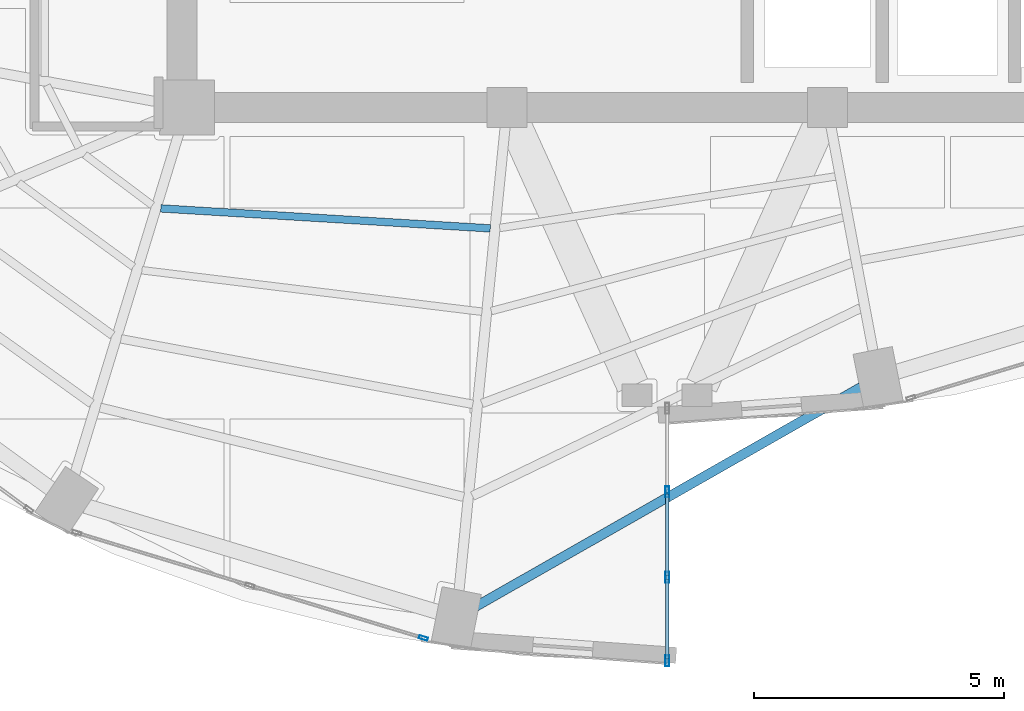
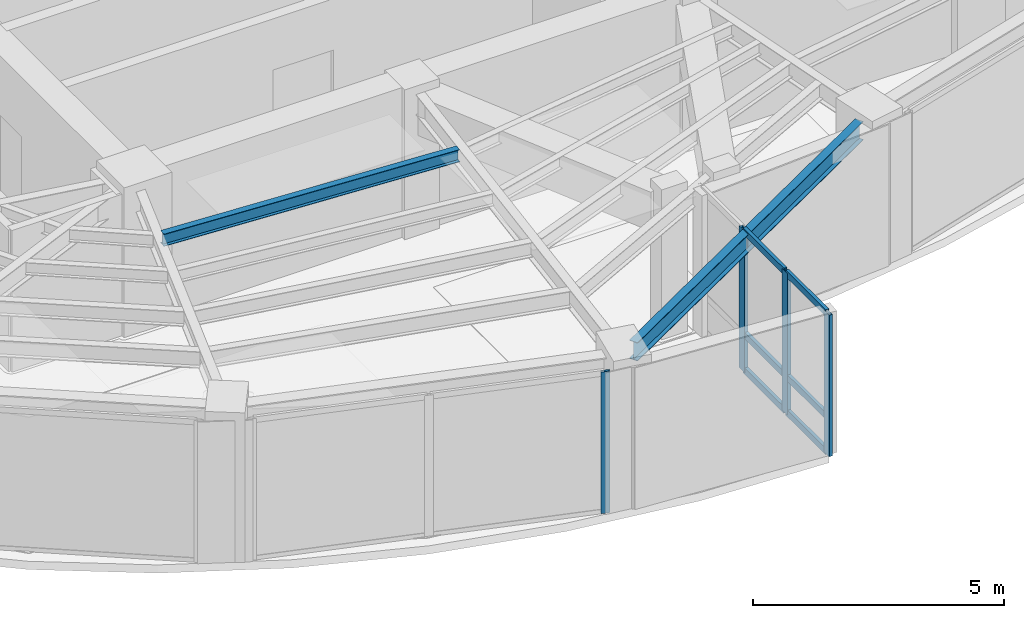
# One storey, part 5 of 23: 10 members, 2 beams, 2 elements without a shape of their own.
"""IFC4 building model written with IfcOpenShell, lengths in metres."""

from ifc_helpers import new_model, si_unit, direction, frame, origin, origin_2d, place, context, subcontext, project, spatial, hollow_rectangle, i_section, extrude, material, layer, layer_set, material_profile, profile_set, type_object, element, aggregate, save


model = new_model("IFC4")

# Units and contexts
model_context = context("Model", 3, precision=1e-05, world=origin(), true_north=direction((0.0, 1.0)))
body_context = subcontext(model_context, "Body", "Model", "MODEL_VIEW")
ifc_project = project(units=[si_unit("LENGTHUNIT", "METRE"), si_unit("AREAUNIT", "SQUARE_METRE"), si_unit("VOLUMEUNIT", "CUBIC_METRE"), si_unit("PLANEANGLEUNIT", "RADIAN"), si_unit("MASSUNIT", "GRAM", prefix="KILO")], contexts=[model_context])

# Site, building, storey
site_placement = place(None, origin())
site = spatial("IfcSite", under=ifc_project, at=site_placement, CompositionType="ELEMENT")
building_placement = place(site_placement, origin())
building = spatial("IfcBuilding", under=site, at=building_placement, Name="Lazwardi Medical Tower", CompositionType="ELEMENT")
storey_placement = place(building_placement, frame((0.0, 0.0, 205.77587890625)))
storey = spatial("IfcBuildingStorey", under=building, at=storey_placement, Name="L53", CompositionType="ELEMENT", Elevation=205.77587890625)

# Beams
ifc_material_1 = material(Name="Steel S355", Category="steel")
ifc_material_profile_1 = material_profile(ifc_material_1, i_section(OverallWidth=0.14990234375, OverallDepth=0.300048828125, WebThickness=0.007080078125, FlangeThickness=0.0107421875, at=origin_2d()), Name="IPE 300")
ifc_profile_set_1 = profile_set([ifc_material_profile_1], Name="Steel S355")
beam_type_1 = type_object("IfcBeamType", Name="BM-SJ-03", PredefinedType="JOIST", material=ifc_profile_set_1)
beam_1_placement = place(storey_placement, frame((25.879150390625, 18.3798828125, 3.298095703125), z_axis=(0.998165515862, -0.060544223044, 0.0), x_axis=(0.060544223044, 0.998165515862, 0.0)))
element("IfcBeam", 1, at=beam_1_placement, inside=storey, type_object=beam_type_1, Name="Secondary joist SJ-03 R4 B15 L53", PredefinedType="JOIST", context=body_context, shape_type="SweptSolid", body=[
    extrude(i_section(OverallWidth=0.14990234375, OverallDepth=0.300048828125, WebThickness=0.007080078125, FlangeThickness=0.0107421875, at=origin_2d()), origin(), (0.0, 0.0, 1.0), 6.59716796875),
])
ifc_material_profile_2 = material_profile(ifc_material_1, i_section(OverallWidth=0.18994140625, OverallDepth=0.449951171875, WebThickness=0.009521484375, FlangeThickness=0.0146484375, at=origin_2d()), Name="IPE 450")
ifc_profile_set_2 = profile_set([ifc_material_profile_2], Name="Steel S355")
beam_type_2 = type_object("IfcBeamType", Name="BM-SP-01", PredefinedType="SPANDREL", material=ifc_profile_set_2)
beam_2_placement = place(storey_placement, frame((32.125, 10.394775390625, 3.22314453125), z_axis=(0.868954808466, 0.494891443494, 0.0), x_axis=(-0.494891443494, 0.868954808466, 0.0)))
element("IfcBeam", 2, at=beam_2_placement, inside=storey, type_object=beam_type_2, Name="Spandrel beam SP-01 B16 L53", PredefinedType="SPANDREL", context=body_context, shape_type="SweptSolid", body=[
    extrude(i_section(OverallWidth=0.18994140625, OverallDepth=0.449951171875, WebThickness=0.009521484375, FlangeThickness=0.0146484375, at=origin_2d()), origin(), (0.0, 0.0, 1.0), 8.918701171875),
])

# Curtain wall, members
ifc_material_2 = material(Name="Anodised bronze aluminium and solar control glazing", Category="aluminium")
ifc_layer_1 = layer(ifc_material_2, 0.2099609375)
ifc_layer_set_1 = layer_set([ifc_layer_1], Name="Anodised bronze aluminium and solar control glazing")
curtain_wall_type_1 = type_object("IfcCurtainWallType", Name="CW-SYS-06", PredefinedType="NOTDEFINED", material=ifc_layer_set_1)
curtain_wall_1_placement = place(storey_placement, origin())
curtain_wall_1 = element("IfcCurtainWall", 3, at=curtain_wall_1_placement, inside=storey, type_object=curtain_wall_type_1, Name="L53 Unitised bronze curtain wall CW-06", PredefinedType="NOTDEFINED")
ifc_material_3 = material(Name="Anodised bronze aluminium", Category="aluminium")
ifc_material_profile_3 = material_profile(ifc_material_3, hollow_rectangle(XDim=0.074951171875, YDim=0.219970703125, WallThickness=0.00390625, at=origin_2d()), Name="ALU-MULLION 220x75x4")
ifc_profile_set_3 = profile_set([ifc_material_profile_3], Name="Anodised bronze aluminium")
member_type_1 = type_object("IfcMemberType", Name="CW-MUL-01", PredefinedType="MULLION", material=ifc_profile_set_3)
member_1_placement = place(storey_placement, frame((36.0, 9.33740234375, 0.0), z_axis=(0.0, 0.0, 1.0), x_axis=(-1.0, 0.0, 0.0)))
member_1 = element("IfcMember", 4, at=member_1_placement, type_object=member_type_1, Name="CW-06 mullion 1", PredefinedType="MULLION", context=body_context, shape_type="SweptSolid", body=[
    extrude(hollow_rectangle(XDim=0.074951171875, YDim=0.219970703125, WallThickness=0.00390625, at=origin_2d()), origin(), (0.0, 0.0, 1.0), 3.4482421875),
])
member_2_placement = place(storey_placement, frame((36.0, 11.006591796875, 0.0), z_axis=(0.0, 0.0, 1.0), x_axis=(-1.0, 0.0, 0.0)))
member_2 = element("IfcMember", 5, at=member_2_placement, type_object=member_type_1, Name="CW-06 mullion 2", PredefinedType="MULLION", context=body_context, shape_type="SweptSolid", body=[
    extrude(hollow_rectangle(XDim=0.074951171875, YDim=0.219970703125, WallThickness=0.00390625, at=origin_2d()), origin(), (0.0, 0.0, 1.0), 3.4482421875),
])
member_3_placement = place(storey_placement, frame((36.0, 12.71337890625, 0.0), z_axis=(0.0, 0.0, 1.0), x_axis=(-1.0, 0.0, 0.0)))
member_3 = element("IfcMember", 6, at=member_3_placement, type_object=member_type_1, Name="CW-06 mullion 3", PredefinedType="MULLION", context=body_context, shape_type="SweptSolid", body=[
    extrude(hollow_rectangle(XDim=0.074951171875, YDim=0.219970703125, WallThickness=0.00390625, at=origin_2d()), origin(), (0.0, 0.0, 1.0), 3.4482421875),
])

# Curtain wall, member
ifc_layer_2 = layer(ifc_material_2, 0.18994140625)
ifc_layer_set_2 = layer_set([ifc_layer_2], Name="Anodised bronze aluminium and solar control glazing")
curtain_wall_type_2 = type_object("IfcCurtainWallType", Name="CW-SYS-04", PredefinedType="NOTDEFINED", material=ifc_layer_set_2)
curtain_wall_2_placement = place(storey_placement, origin())
curtain_wall_2 = element("IfcCurtainWall", 7, at=curtain_wall_2_placement, inside=storey, type_object=curtain_wall_type_2, Name="L53 Unitised bronze curtain wall CW-04", PredefinedType="NOTDEFINED")
ifc_material_profile_4 = material_profile(ifc_material_3, hollow_rectangle(XDim=0.06494140625, YDim=0.179931640625, WallThickness=0.00390625, at=origin_2d()), Name="ALU-MULLION 180x65x4")
ifc_profile_set_4 = profile_set([ifc_material_profile_4], Name="Anodised bronze aluminium")
member_type_2 = type_object("IfcMemberType", Name="CW-MUL-03", PredefinedType="MULLION", material=ifc_profile_set_4)
member_4_placement = place(storey_placement, frame((31.126953125, 9.79296875, 0.0), z_axis=(0.0, 0.0, 1.0), x_axis=(0.290581889515, 0.956850126972, 0.0)))
member_4 = element("IfcMember", 8, at=member_4_placement, type_object=member_type_2, Name="CW-04 mullion 3", PredefinedType="MULLION", context=body_context, shape_type="SweptSolid", body=[
    extrude(hollow_rectangle(XDim=0.06494140625, YDim=0.179931640625, WallThickness=0.00390625, at=origin_2d()), origin(), (0.0, 0.0, 1.0), 3.4482421875),
])
aggregate(curtain_wall_2, [member_4])

# Member
ifc_material_profile_5 = material_profile(ifc_material_3, hollow_rectangle(XDim=0.074951171875, YDim=0.159912109375, WallThickness=0.00390625, at=origin_2d()), Name="ALU-TRANSOM 160x75x4")
ifc_profile_set_5 = profile_set([ifc_material_profile_5], Name="Anodised bronze aluminium")
member_type_3 = type_object("IfcMemberType", Name="CW-TRN-01", PredefinedType="USERDEFINED", material=ifc_profile_set_5)
member_5_placement = place(storey_placement, frame((36.0, 9.375, 0.03759765625), z_axis=(0.0, 1.0, 0.0), x_axis=(-1.0, 0.0, 0.0)))
member_5 = element("IfcMember", 9, at=member_5_placement, type_object=member_type_3, Name="CW-06 transom 1.1", ObjectType="TRANSOM", PredefinedType="USERDEFINED", context=body_context, shape_type="SweptSolid", body=[
    extrude(hollow_rectangle(XDim=0.074951171875, YDim=0.159912109375, WallThickness=0.00390625, at=origin_2d()), origin(), (0.0, 0.0, 1.0), 1.59423828125),
])

member_6_placement = place(storey_placement, frame((36.0, 9.375, 0.900146484375), z_axis=(0.0, 1.0, 0.0), x_axis=(-1.0, 0.0, 0.0)))
member_6 = element("IfcMember", 10, at=member_6_placement, type_object=member_type_3, Name="CW-06 transom 1.2", ObjectType="TRANSOM", PredefinedType="USERDEFINED", context=body_context, shape_type="SweptSolid", body=[
    extrude(hollow_rectangle(XDim=0.074951171875, YDim=0.159912109375, WallThickness=0.00390625, at=origin_2d()), origin(), (0.0, 0.0, 1.0), 1.59423828125),
])

member_7_placement = place(storey_placement, frame((36.0, 9.375, 3.41064453125), z_axis=(0.0, 1.0, 0.0), x_axis=(-1.0, 0.0, 0.0)))
member_7 = element("IfcMember", 11, at=member_7_placement, type_object=member_type_3, Name="CW-06 transom 1.3", ObjectType="TRANSOM", PredefinedType="USERDEFINED", context=body_context, shape_type="SweptSolid", body=[
    extrude(hollow_rectangle(XDim=0.074951171875, YDim=0.159912109375, WallThickness=0.00390625, at=origin_2d()), origin(), (0.0, 0.0, 1.0), 1.59423828125),
])

member_8_placement = place(storey_placement, frame((36.0, 11.044189453125, 0.03759765625), z_axis=(0.0, 1.0, 0.0), x_axis=(-1.0, 0.0, 0.0)))
member_8 = element("IfcMember", 12, at=member_8_placement, type_object=member_type_3, Name="CW-06 transom 2.1", ObjectType="TRANSOM", PredefinedType="USERDEFINED", context=body_context, shape_type="SweptSolid", body=[
    extrude(hollow_rectangle(XDim=0.074951171875, YDim=0.159912109375, WallThickness=0.00390625, at=origin_2d()), origin(), (0.0, 0.0, 1.0), 1.631591796875),
])

member_9_placement = place(storey_placement, frame((36.0, 11.044189453125, 0.900146484375), z_axis=(0.0, 1.0, 0.0), x_axis=(-1.0, 0.0, 0.0)))
member_9 = element("IfcMember", 13, at=member_9_placement, type_object=member_type_3, Name="CW-06 transom 2.2", ObjectType="TRANSOM", PredefinedType="USERDEFINED", context=body_context, shape_type="SweptSolid", body=[
    extrude(hollow_rectangle(XDim=0.074951171875, YDim=0.159912109375, WallThickness=0.00390625, at=origin_2d()), origin(), (0.0, 0.0, 1.0), 1.631591796875),
])

member_10_placement = place(storey_placement, frame((36.0, 11.044189453125, 3.41064453125), z_axis=(0.0, 1.0, 0.0), x_axis=(-1.0, 0.0, 0.0)))
member_10 = element("IfcMember", 14, at=member_10_placement, type_object=member_type_3, Name="CW-06 transom 2.3", ObjectType="TRANSOM", PredefinedType="USERDEFINED", context=body_context, shape_type="SweptSolid", body=[
    extrude(hollow_rectangle(XDim=0.074951171875, YDim=0.159912109375, WallThickness=0.00390625, at=origin_2d()), origin(), (0.0, 0.0, 1.0), 1.631591796875),
])

aggregate(curtain_wall_1, [member_1, member_2, member_3, member_5, member_6, member_7, member_8, member_9, member_10])

save(model, "model.ifc")
